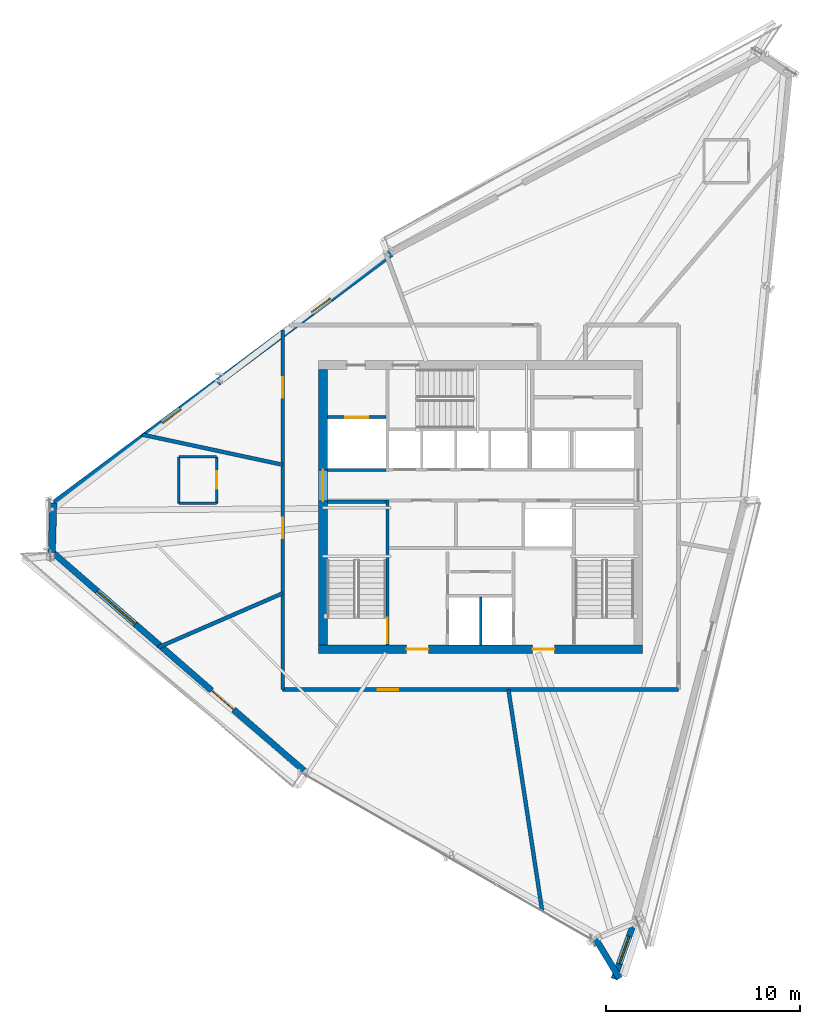
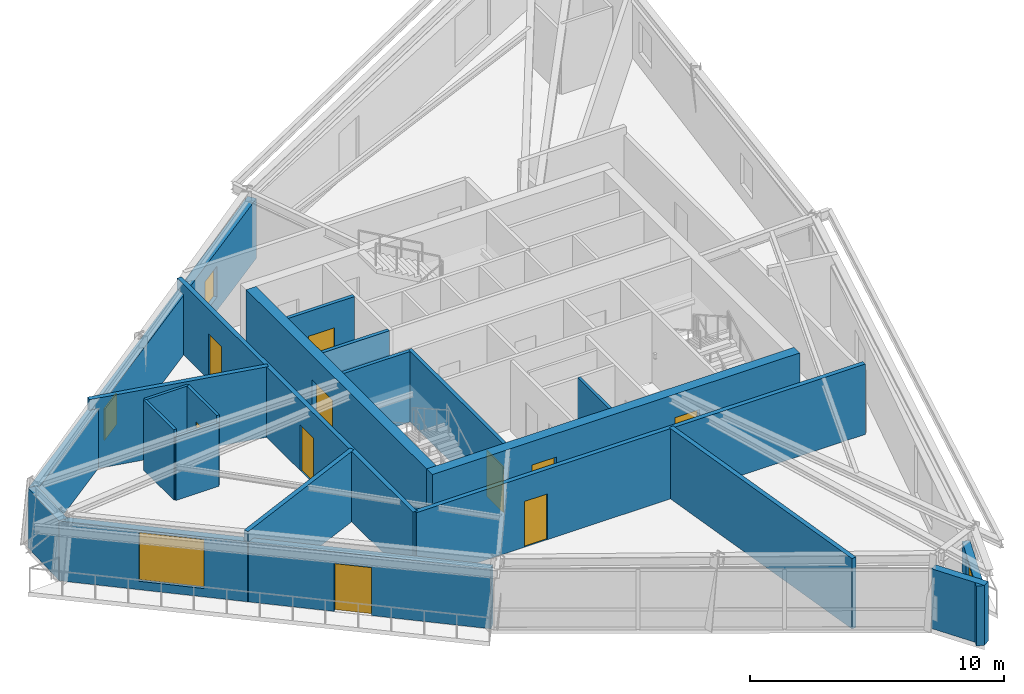
# One storey, part 8 of 13: 21 walls, 10 doors, 4 windows, 14 openings.
"""IFC4 building model written with IfcOpenShell, lengths in metres."""

from ifc_helpers import new_model, si_unit, direction, frame, frame_2d, origin, place, context, subcontext, project, spatial, rectangle, extrude, source, transform, mapped, material, layer, layer_set, type_object, type_shapes, element, fill, save


model = new_model("IFC4")

# Units and contexts
model_context = context("Model", 3, precision=1e-05, world=origin(), true_north=direction((0.0, 1.0)))
body_context = subcontext(model_context, "Body", "Model", "MODEL_VIEW")
ifc_project = project(units=[si_unit("LENGTHUNIT", "METRE"), si_unit("AREAUNIT", "SQUARE_METRE"), si_unit("VOLUMEUNIT", "CUBIC_METRE"), si_unit("PLANEANGLEUNIT", "RADIAN"), si_unit("MASSUNIT", "GRAM", prefix="KILO")], contexts=[model_context])

# Site, building, storey
site_placement = place(None, origin())
site = spatial("IfcSite", under=ifc_project, at=site_placement, CompositionType="ELEMENT")
building_placement = place(site_placement, origin())
building = spatial("IfcBuilding", under=site, at=building_placement, Name="Olszyna Solenne Hotel", CompositionType="ELEMENT")
storey_placement = place(building_placement, frame((0.0, 0.0, 263.300048828125)))
storey = spatial("IfcBuildingStorey", under=building, at=storey_placement, Name="L70", CompositionType="ELEMENT", Elevation=263.300048828125)

# Wall, openings, doors
ifc_material_1 = material(Name="Concrete C50/60", Category="concrete")
ifc_layer_1 = layer(ifc_material_1, 0.449951171875, Name="Concrete C50/60")
ifc_layer_set_1 = layer_set([ifc_layer_1], Name="Concrete C50/60")
wall_type_1 = type_object("IfcWallType", Name="WL-CR450", PredefinedType="SHEAR", material=ifc_layer_set_1)
wall_1_placement = place(storey_placement, frame((46.35009765625, 19.27490234375, 0.0), z_axis=(0.0, 0.0, 1.0), x_axis=(-1.0, 0.0, 0.0)))
wall_1 = element("IfcWall", 1, at=wall_1_placement, inside=storey, type_object=wall_type_1, Name="Core shear wall WL-CR450 CRW-L70-S", PredefinedType="SHEAR", context=body_context, shape_type="SweptSolid", body=[
    extrude(rectangle(XDim=16.7001953125, YDim=0.449951171875, at=frame_2d((8.35009765625, 0.0))), origin(), (0.0, 0.0, 1.0), 3.3798828125),
])
opening_1_placement = place(wall_1_placement, frame((4.550048828125, 0.0, 0.0)))
opening_1 = element("IfcOpeningElement", 2, at=opening_1_placement, cuts=wall_1, Name="Opening FL-L70-1", PredefinedType="OPENING", context=body_context, shape_type="SweptSolid", body=[
    extrude(rectangle(XDim=1.1201171875, YDim=2.25, at=frame_2d((0.56005859375, 1.125))), frame((0.0, 0.23486328125, 0.0), z_axis=(0.0, -1.0, 0.0), x_axis=(1.0, 0.0, 0.0)), (0.0, 0.0, 1.0), 0.469970703125),
])
opening_2_placement = place(wall_1_placement, frame((11.050048828125, 0.0, 0.0)))
opening_2 = element("IfcOpeningElement", 3, at=opening_2_placement, cuts=wall_1, Name="Opening FL-L70-2", PredefinedType="OPENING", context=body_context, shape_type="SweptSolid", body=[
    extrude(rectangle(XDim=1.1201171875, YDim=2.25, at=frame_2d((0.56005859375, 1.125))), frame((0.0, 0.23486328125, 0.0), z_axis=(0.0, -1.0, 0.0), x_axis=(1.0, 0.0, 0.0)), (0.0, 0.0, 1.0), 0.469970703125),
])
ifc_material_2 = material(Name="Steel S355J2", Category="steel")
door_type_1 = type_object("IfcDoorType", Name="DR-FL1", OperationType="NOTDEFINED", PredefinedType="DOOR", material=ifc_material_2)
shared_shape_1 = source(origin(), body_context, "Body", "SweptSolid", [
    extrude(rectangle(XDim=1.1201171875, YDim=2.25, at=frame_2d((0.56005859375, 1.125))), frame((0.0, 0.02490234375, 0.0), z_axis=(0.0, -1.0, 0.0), x_axis=(1.0, 0.0, 0.0)), (0.0, 0.0, 1.0), 0.050048828125),
])
type_shapes(door_type_1, [shared_shape_1])
door_1_placement = place(opening_1_placement, origin())
door_1 = element("IfcDoor", 4, at=door_1_placement, inside=storey, type_object=door_type_1, Name="Firefighting lift lobby smoke door FL-L70-1", OperationType="SINGLE_SWING_LEFT", OverallHeight=2.25, OverallWidth=1.1201171875, PredefinedType="DOOR", context=body_context, shape_type="MappedRepresentation", body=[
    mapped(shared_shape_1, transform((0.0, 0.0, 0.0), x_axis=(1.0, 0.0, 0.0), y_axis=(0.0, 1.0, 0.0), z_axis=(0.0, 0.0, 1.0), scale=1.0)),
])
fill(opening_1, door_1)
door_2_placement = place(opening_2_placement, origin())
door_2 = element("IfcDoor", 5, at=door_2_placement, inside=storey, type_object=door_type_1, Name="Firefighting lift lobby smoke door FL-L70-2", OperationType="SINGLE_SWING_RIGHT", OverallHeight=2.25, OverallWidth=1.1201171875, PredefinedType="DOOR", context=body_context, shape_type="MappedRepresentation", body=[
    mapped(shared_shape_1, transform((0.0, 0.0, 0.0), x_axis=(1.0, 0.0, 0.0), y_axis=(0.0, 1.0, 0.0), z_axis=(0.0, 0.0, 1.0), scale=1.0)),
])
fill(opening_2, door_2)

# Wall, opening, door
wall_2_placement = place(storey_placement, frame((29.875, 19.5, 0.0), z_axis=(0.0, 0.0, 1.0), x_axis=(0.0, 1.0, 0.0)))
wall_2 = element("IfcWall", 6, at=wall_2_placement, inside=storey, type_object=wall_type_1, Name="Core shear wall WL-CR450 CRW-L70-W", PredefinedType="SHEAR", context=body_context, shape_type="SweptSolid", body=[
    extrude(rectangle(XDim=14.199951171875, YDim=0.449951171875, at=frame_2d((7.10009765625, 0.0))), origin(), (0.0, 0.0, 1.0), 3.3798828125),
])
opening_3_placement = place(wall_2_placement, frame((7.419921875, 0.0, 0.0)))
opening_3 = element("IfcOpeningElement", 7, at=opening_3_placement, cuts=wall_2, Name="Opening LHD-L70-W", PredefinedType="OPENING", context=body_context, shape_type="SweptSolid", body=[
    extrude(rectangle(XDim=1.60009765625, YDim=2.199951171875, at=frame_2d((0.800048828125, 1.10009765625))), frame((0.0, 0.23486328125, 0.0), z_axis=(0.0, -1.0, 0.0), x_axis=(1.0, 0.0, 0.0)), (0.0, 0.0, 1.0), 0.469970703125),
])
ifc_material_3 = material(Name="Timber hardwood", Category="wood")
door_type_2 = type_object("IfcDoorType", Name="DR-CR1", OperationType="DOUBLE_DOOR_SINGLE_SWING", PredefinedType="DOOR", material=ifc_material_3)
shared_shape_2 = source(origin(), body_context, "Body", "SweptSolid", [
    extrude(rectangle(XDim=1.60009765625, YDim=2.199951171875, at=frame_2d((0.800048828125, 1.10009765625))), frame((0.0, 0.02490234375, 0.0), z_axis=(0.0, -1.0, 0.0), x_axis=(1.0, 0.0, 0.0)), (0.0, 0.0, 1.0), 0.050048828125),
])
type_shapes(door_type_2, [shared_shape_2])
door_3_placement = place(opening_3_placement, origin())
door_3 = element("IfcDoor", 8, at=door_3_placement, inside=storey, type_object=door_type_2, Name="Passenger lift lobby West fire door LHD-L70-W", OperationType="DOUBLE_DOOR_SINGLE_SWING", OverallHeight=2.199951171875, OverallWidth=1.60009765625, PredefinedType="DOOR", context=body_context, shape_type="MappedRepresentation", body=[
    mapped(shared_shape_2, transform((0.0, 0.0, 0.0), x_axis=(1.0, 0.0, 0.0), y_axis=(0.0, 1.0, 0.0), z_axis=(0.0, 0.0, 1.0), scale=1.0)),
])
fill(opening_3, door_3)

# Wall, opening, window
ifc_material_4 = material(Name="Precast concrete C45/55", Category="concrete")
ifc_layer_2 = layer(ifc_material_4, 0.320068359375, Name="Precast concrete C45/55")
ifc_layer_set_2 = layer_set([ifc_layer_2], Name="Precast concrete C45/55")
wall_type_2 = type_object("IfcWallType", Name="WL-EX320", PredefinedType="SOLIDWALL", material=ifc_layer_set_2)
wall_3_placement = place(storey_placement, frame((45.93505859375, 5.255615234375, 0.0), z_axis=(0.0, 0.0, 1.0), x_axis=(-0.337650240758, -0.941271647781, 0.0)))
wall_3 = element("IfcWall", 9, at=wall_3_placement, inside=storey, type_object=wall_type_2, Name="Exterior terracotta-precast frame wall WL-EX320 EW-L70-02", PredefinedType="SOLIDWALL", context=body_context, shape_type="SweptSolid", body=[
    extrude(rectangle(XDim=3.154052734375, YDim=0.320068359375, at=frame_2d((1.5771484375, 0.0))), origin(), (0.0, 0.0, 1.0), 2.8720703125),
])
opening_4_placement = place(wall_3_placement, frame((0.826904296875, 0.0, 0.451904296875)))
opening_4 = element("IfcOpeningElement", 10, at=opening_4_placement, cuts=wall_3, Name="Opening WN-L70-465", PredefinedType="OPENING", context=body_context, shape_type="SweptSolid", body=[
    extrude(rectangle(XDim=1.5, YDim=2.300048828125, at=frame_2d((0.75, 1.14990234375))), frame((0.0, 0.169921875, 0.0), z_axis=(0.0, -1.0, 0.0), x_axis=(1.0, 0.0, 0.0)), (0.0, 0.0, 1.0), 0.340087890625),
])
ifc_material_5 = material(Name="Low-E triple glazing", Category="glass")
window_type_1 = type_object("IfcWindowType", Name="WN-CH1", PartitioningType="SINGLE_PANEL", PredefinedType="WINDOW", material=ifc_material_5)
shared_shape_3 = source(origin(), body_context, "Body", "SweptSolid", [
    extrude(rectangle(XDim=1.5, YDim=2.300048828125, at=frame_2d((0.75, 1.14990234375))), frame((0.0, 0.030029296875, 0.0), z_axis=(0.0, -1.0, 0.0), x_axis=(1.0, 0.0, 0.0)), (0.0, 0.0, 1.0), 0.06005859375),
])
type_shapes(window_type_1, [shared_shape_3])
window_1_placement = place(opening_4_placement, origin())
window_1 = element("IfcWindow", 11, at=window_1_placement, inside=storey, type_object=window_type_1, Name="Exterior facade window WN-CH1 WN-L70-465", OverallHeight=2.300048828125, OverallWidth=1.5, PartitioningType="SINGLE_PANEL", PredefinedType="WINDOW", context=body_context, shape_type="MappedRepresentation", body=[
    mapped(shared_shape_3, transform((0.0, 0.0, 0.0), x_axis=(1.0, 0.0, 0.0), y_axis=(0.0, 1.0, 0.0), z_axis=(0.0, 0.0, 1.0), scale=1.0)),
])
fill(opening_4, window_1)

# Wall
wall_4_placement = place(storey_placement, frame((45.15771484375, 2.3154296875, 0.0), z_axis=(0.0, 0.0, 1.0), x_axis=(-0.516260260774, 0.856431750431, 0.0)))
element("IfcWall", 12, at=wall_4_placement, inside=storey, type_object=wall_type_2, Name="Exterior terracotta-precast frame wall WL-EX320 EW-L70-03", PredefinedType="SOLIDWALL", context=body_context, shape_type="SweptSolid", body=[
    extrude(rectangle(XDim=2.379150390625, YDim=0.320068359375, at=frame_2d((1.189453125, 0.0))), origin(), (0.0, 0.0, 1.0), 2.8720703125),
])

# Wall, openings, door, window
wall_5_placement = place(storey_placement, frame((28.884765625, 13.0244140625, 0.0), z_axis=(0.0, 0.0, 1.0), x_axis=(-0.754757555723, 0.656003835415, 0.0)))
wall_5 = element("IfcWall", 13, at=wall_5_placement, inside=storey, type_object=wall_type_2, Name="Exterior terracotta-precast frame wall WL-EX320 EW-L70-05", PredefinedType="SOLIDWALL", context=body_context, shape_type="SweptSolid", body=[
    extrude(rectangle(XDim=17.31787109375, YDim=0.320068359375, at=frame_2d((8.658935546875, 0.0))), origin(), (0.0, 0.0, 1.0), 2.8720703125),
])
opening_5_placement = place(wall_5_placement, frame((4.7919921875, 0.0, 0.0)))
opening_5 = element("IfcOpeningElement", 14, at=opening_5_placement, cuts=wall_5, Name="Opening LDG-L70-2", PredefinedType="OPENING", context=body_context, shape_type="SweptSolid", body=[
    extrude(rectangle(XDim=1.5, YDim=2.300048828125, at=frame_2d((0.75, 1.14990234375))), frame((0.0, 0.169921875, 0.0), z_axis=(0.0, -1.0, 0.0), x_axis=(1.0, 0.0, 0.0)), (0.0, 0.0, 1.0), 0.340087890625),
])
opening_6_placement = place(wall_5_placement, frame((11.514892578125, 0.0, 0.402099609375)))
opening_6 = element("IfcOpeningElement", 15, at=opening_6_placement, cuts=wall_5, Name="Opening WN-L70-466", PredefinedType="OPENING", context=body_context, shape_type="SweptSolid", body=[
    extrude(rectangle(XDim=2.60009765625, YDim=2.35009765625, at=frame_2d((1.300048828125, 1.175048828125))), frame((0.0, 0.169921875, 0.0), z_axis=(0.0, -1.0, 0.0), x_axis=(1.0, 0.0, 0.0)), (0.0, 0.0, 1.0), 0.340087890625),
])
ifc_material_6 = material(Name="Anodised bronze aluminium", Category="aluminium")
door_type_3 = type_object("IfcDoorType", Name="DR-LG2", OperationType="DOUBLE_DOOR_SINGLE_SWING", PredefinedType="DOOR", material=ifc_material_6)
shared_shape_4 = source(origin(), body_context, "Body", "SweptSolid", [
    extrude(rectangle(XDim=1.5, YDim=2.300048828125, at=frame_2d((0.75, 1.14990234375))), frame((0.0, 0.02490234375, 0.0), z_axis=(0.0, -1.0, 0.0), x_axis=(1.0, 0.0, 0.0)), (0.0, 0.0, 1.0), 0.050048828125),
])
type_shapes(door_type_3, [shared_shape_4])
door_4_placement = place(opening_5_placement, origin())
door_4 = element("IfcDoor", 16, at=door_4_placement, inside=storey, type_object=door_type_3, Name="Exterior loggia balcony door DR-LG2 LDG-L70-2", OperationType="DOUBLE_DOOR_SINGLE_SWING", OverallHeight=2.300048828125, OverallWidth=1.5, PredefinedType="DOOR", context=body_context, shape_type="MappedRepresentation", body=[
    mapped(shared_shape_4, transform((0.0, 0.0, 0.0), x_axis=(1.0, 0.0, 0.0), y_axis=(0.0, 1.0, 0.0), z_axis=(0.0, 0.0, 1.0), scale=1.0)),
])
fill(opening_5, door_4)
window_type_2 = type_object("IfcWindowType", Name="WN-ST1", PartitioningType="SINGLE_PANEL", PredefinedType="WINDOW", material=ifc_material_5)
shared_shape_5 = source(origin(), body_context, "Body", "SweptSolid", [
    extrude(rectangle(XDim=2.60009765625, YDim=2.35009765625, at=frame_2d((1.300048828125, 1.175048828125))), frame((0.0, 0.030029296875, 0.0), z_axis=(0.0, -1.0, 0.0), x_axis=(1.0, 0.0, 0.0)), (0.0, 0.0, 1.0), 0.06005859375),
])
type_shapes(window_type_2, [shared_shape_5])
window_2_placement = place(opening_6_placement, origin())
window_2 = element("IfcWindow", 17, at=window_2_placement, inside=storey, type_object=window_type_2, Name="Loggia room window WN-ST1 WN-L70-466", OverallHeight=2.35009765625, OverallWidth=2.60009765625, PartitioningType="SINGLE_PANEL", PredefinedType="WINDOW", context=body_context, shape_type="MappedRepresentation", body=[
    mapped(shared_shape_5, transform((0.0, 0.0, 0.0), x_axis=(1.0, 0.0, 0.0), y_axis=(0.0, 1.0, 0.0), z_axis=(0.0, 0.0, 1.0), scale=1.0)),
])
fill(opening_6, window_2)

# Wall
ifc_material_7 = material(Name="Terracotta cladding on precast concrete C45/55", Category="masonry")
ifc_layer_3 = layer(ifc_material_7, 0.3798828125, Name="Terracotta cladding on precast concrete C45/55")
ifc_layer_set_3 = layer_set([ifc_layer_3], Name="Terracotta cladding on precast concrete C45/55")
wall_type_3 = type_object("IfcWallType", Name="WL-EX380", PredefinedType="SOLIDWALL", material=ifc_layer_set_3)
wall_6_placement = place(storey_placement, frame((15.898681640625, 24.2587890625, 0.0), z_axis=(0.0, 0.0, 1.0), x_axis=(0.027933207755, 0.999609791821, 0.0)))
element("IfcWall", 18, at=wall_6_placement, inside=storey, type_object=wall_type_3, Name="Exterior terracotta-precast frame wall WL-EX380 EW-L70-06", PredefinedType="SOLIDWALL", context=body_context, shape_type="SweptSolid", body=[
    extrude(rectangle(XDim=2.569580078125, YDim=0.3798828125, at=frame_2d((1.28466796875, 0.0))), origin(), (0.0, 0.0, 1.0), 2.8720703125),
])

# Wall, openings, windows
wall_7_placement = place(storey_placement, frame((15.89404296875, 26.680419921875, 0.0), z_axis=(0.0, 0.0, 1.0), x_axis=(0.802229105353, 0.59701630005, 0.0)))
wall_7 = element("IfcWall", 19, at=wall_7_placement, inside=storey, type_object=wall_type_3, Name="Exterior terracotta-precast frame wall WL-EX380 EW-L70-07", PredefinedType="SOLIDWALL", context=body_context, shape_type="SweptSolid", body=[
    extrude(rectangle(XDim=21.80224609375, YDim=0.3798828125, at=frame_2d((10.901123046875, 0.0))), origin(), (0.0, 0.0, 1.0), 2.8720703125),
])
opening_7_placement = place(wall_7_placement, frame((7.10498046875, 0.0, 0.64990234375)))
opening_7 = element("IfcOpeningElement", 20, at=opening_7_placement, cuts=wall_7, Name="Opening WN-L70-467", PredefinedType="OPENING", context=body_context, shape_type="SweptSolid", body=[
    extrude(rectangle(XDim=1.199951171875, YDim=1.5, at=frame_2d((0.60009765625, 0.75))), frame((0.0, 0.199951171875, 0.0), z_axis=(0.0, -1.0, 0.0), x_axis=(1.0, 0.0, 0.0)), (0.0, 0.0, 1.0), 0.39990234375),
])
opening_8_placement = place(wall_7_placement, frame((16.697998046875, 0.0, 0.64990234375)))
opening_8 = element("IfcOpeningElement", 21, at=opening_8_placement, cuts=wall_7, Name="Opening WN-L70-468", PredefinedType="OPENING", context=body_context, shape_type="SweptSolid", body=[
    extrude(rectangle(XDim=1.199951171875, YDim=1.5, at=frame_2d((0.60009765625, 0.75))), frame((0.0, 0.199951171875, 0.0), z_axis=(0.0, -1.0, 0.0), x_axis=(1.0, 0.0, 0.0)), (0.0, 0.0, 1.0), 0.39990234375),
])
window_type_3 = type_object("IfcWindowType", Name="WN-B1", PartitioningType="SINGLE_PANEL", PredefinedType="WINDOW", material=ifc_material_5)
shared_shape_6 = source(origin(), body_context, "Body", "SweptSolid", [
    extrude(rectangle(XDim=1.199951171875, YDim=1.5, at=frame_2d((0.60009765625, 0.75))), frame((0.0, 0.030029296875, 0.0), z_axis=(0.0, -1.0, 0.0), x_axis=(1.0, 0.0, 0.0)), (0.0, 0.0, 1.0), 0.06005859375),
])
type_shapes(window_type_3, [shared_shape_6])
window_3_placement = place(opening_7_placement, origin())
window_3 = element("IfcWindow", 22, at=window_3_placement, inside=storey, type_object=window_type_3, Name="Exterior facade window WN-B1 WN-L70-467", OverallHeight=1.5, OverallWidth=1.199951171875, PartitioningType="SINGLE_PANEL", PredefinedType="WINDOW", context=body_context, shape_type="MappedRepresentation", body=[
    mapped(shared_shape_6, transform((0.0, 0.0, 0.0), x_axis=(1.0, 0.0, 0.0), y_axis=(0.0, 1.0, 0.0), z_axis=(0.0, 0.0, 1.0), scale=1.0)),
])
fill(opening_7, window_3)
window_4_placement = place(opening_8_placement, origin())
window_4 = element("IfcWindow", 23, at=window_4_placement, inside=storey, type_object=window_type_3, Name="Exterior facade window WN-B1 WN-L70-468", OverallHeight=1.5, OverallWidth=1.199951171875, PartitioningType="SINGLE_PANEL", PredefinedType="WINDOW", context=body_context, shape_type="MappedRepresentation", body=[
    mapped(shared_shape_6, transform((0.0, 0.0, 0.0), x_axis=(1.0, 0.0, 0.0), y_axis=(0.0, 1.0, 0.0), z_axis=(0.0, 0.0, 1.0), scale=1.0)),
])
fill(opening_8, window_4)

# Wall
ifc_material_8 = material(Name="Acoustic gypsum partition", Category="gypsum")
ifc_layer_4 = layer(ifc_material_8, 0.125, Name="Acoustic gypsum partition")
ifc_layer_set_4 = layer_set([ifc_layer_4], Name="Acoustic gypsum partition")
wall_type_4 = type_object("IfcWallType", Name="WL-PT125", PredefinedType="PARTITIONING", material=ifc_layer_set_4)
wall_8_placement = place(storey_placement, frame((38.0, 19.5, 0.0), z_axis=(0.0, 0.0, 1.0), x_axis=(0.0, 1.0, 0.0)))
element("IfcWall", 24, at=wall_8_placement, inside=storey, type_object=wall_type_4, Name="Core shaft compartment wall CW-L70-FFM", PredefinedType="PARTITIONING", context=body_context, shape_type="SweptSolid", body=[
    extrude(rectangle(XDim=2.4599609375, YDim=0.125, at=frame_2d((1.22998046875, 0.0))), origin(), (0.0, 0.0, 1.0), 3.3798828125),
])

# Wall, opening, door
wall_9_placement = place(storey_placement, frame((24.39208984375, 26.794921875, 0.0), z_axis=(0.0, 0.0, 1.0), x_axis=(0.0, 1.0, 0.0)))
wall_9 = element("IfcWall", 25, at=wall_9_placement, inside=storey, type_object=wall_type_4, Name="Interior acoustic partition WL-PT125 PW-L70-3881", PredefinedType="PARTITIONING", context=body_context, shape_type="SweptSolid", body=[
    extrude(rectangle(XDim=2.400146484375, YDim=0.125, at=frame_2d((1.2001953125, 0.0))), origin(), (0.0, 0.0, 1.0), 3.3798828125),
])
opening_9_placement = place(wall_9_placement, frame((0.75, 0.0, 0.0)))
opening_9 = element("IfcOpeningElement", 26, at=opening_9_placement, cuts=wall_9, Name="Opening DR-L70-0941", PredefinedType="OPENING", context=body_context, shape_type="SweptSolid", body=[
    extrude(rectangle(XDim=0.89990234375, YDim=2.10009765625, at=frame_2d((0.449951171875, 1.050048828125))), frame((0.0, 0.072509765625, 0.0), z_axis=(0.0, -1.0, 0.0), x_axis=(1.0, 0.0, 0.0)), (0.0, 0.0, 1.0), 0.14501953125),
])
door_type_4 = type_object("IfcDoorType", Name="DR-WC1", OperationType="NOTDEFINED", PredefinedType="DOOR", material=ifc_material_3)
shared_shape_7 = source(origin(), body_context, "Body", "SweptSolid", [
    extrude(rectangle(XDim=0.89990234375, YDim=2.10009765625, at=frame_2d((0.449951171875, 1.050048828125))), frame((0.0, 0.02490234375, 0.0), z_axis=(0.0, -1.0, 0.0), x_axis=(1.0, 0.0, 0.0)), (0.0, 0.0, 1.0), 0.050048828125),
])
type_shapes(door_type_4, [shared_shape_7])
door_5_placement = place(opening_9_placement, origin())
door_5 = element("IfcDoor", 27, at=door_5_placement, inside=storey, type_object=door_type_4, Name="En-Suite Bathroom Door DR-L70-0941", OperationType="SINGLE_SWING_LEFT", OverallHeight=2.10009765625, OverallWidth=0.89990234375, PredefinedType="DOOR", context=body_context, shape_type="MappedRepresentation", body=[
    mapped(shared_shape_7, transform((0.0, 0.0, 0.0), x_axis=(1.0, 0.0, 0.0), y_axis=(0.0, 1.0, 0.0), z_axis=(0.0, 0.0, 1.0), scale=1.0)),
])
fill(opening_9, door_5)

# Walls
wall_10_placement = place(storey_placement, frame((24.39208984375, 29.195068359375, 0.0), z_axis=(0.0, 0.0, 1.0), x_axis=(-1.0, 0.0, 0.0)))
element("IfcWall", 28, at=wall_10_placement, inside=storey, type_object=wall_type_4, Name="Interior acoustic partition WL-PT125 PW-L70-3882", PredefinedType="PARTITIONING", context=body_context, shape_type="SweptSolid", body=[
    extrude(rectangle(XDim=1.9501953125, YDim=0.125, at=frame_2d((0.97509765625, 0.0))), origin(), (0.0, 0.0, 1.0), 3.3798828125),
])
wall_11_placement = place(storey_placement, frame((22.44189453125, 29.195068359375, 0.0), z_axis=(0.0, 0.0, 1.0), x_axis=(0.0, -1.0, 0.0)))
element("IfcWall", 29, at=wall_11_placement, inside=storey, type_object=wall_type_4, Name="Interior acoustic partition WL-PT125 PW-L70-3883", PredefinedType="PARTITIONING", context=body_context, shape_type="SweptSolid", body=[
    extrude(rectangle(XDim=2.400146484375, YDim=0.125, at=frame_2d((1.2001953125, 0.0))), origin(), (0.0, 0.0, 1.0), 3.3798828125),
])
wall_12_placement = place(storey_placement, frame((22.44189453125, 26.794921875, 0.0), z_axis=(0.0, 0.0, 1.0), x_axis=(1.0, 0.0, 0.0)))
element("IfcWall", 30, at=wall_12_placement, inside=storey, type_object=wall_type_4, Name="Interior acoustic partition WL-PT125 PW-L70-3884", PredefinedType="PARTITIONING", context=body_context, shape_type="SweptSolid", body=[
    extrude(rectangle(XDim=1.9501953125, YDim=0.125, at=frame_2d((0.97509765625, 0.0))), origin(), (0.0, 0.0, 1.0), 3.054931640625),
])

# Wall, opening, door
ifc_layer_5 = layer(ifc_material_8, 0.159912109375, Name="Acoustic gypsum partition")
ifc_layer_set_5 = layer_set([ifc_layer_5], Name="Acoustic gypsum partition")
wall_type_5 = type_object("IfcWallType", Name="WL-PT160", PredefinedType="PARTITIONING", material=ifc_layer_set_5)
wall_13_placement = place(storey_placement, frame((33.199951171875, 19.5, 0.0), z_axis=(0.0, 0.0, 1.0), x_axis=(0.0, 1.0, 0.0)))
wall_13 = element("IfcWall", 31, at=wall_13_placement, inside=storey, type_object=wall_type_5, Name="Core shaft compartment wall CW-L70-ST1E", PredefinedType="PARTITIONING", context=body_context, shape_type="SweptSolid", body=[
    extrude(rectangle(XDim=7.4599609375, YDim=0.159912109375, at=frame_2d((3.72998046875, 0.0))), origin(), (0.0, 0.0, 1.0), 3.3798828125),
])
opening_10_placement = place(wall_13_placement, frame((0.080078125, 0.0, 0.0)))
opening_10 = element("IfcOpeningElement", 32, at=opening_10_placement, cuts=wall_13, Name="Opening STD-L70-01", PredefinedType="OPENING", context=body_context, shape_type="SweptSolid", body=[
    extrude(rectangle(XDim=1.320068359375, YDim=2.199951171875, at=frame_2d((0.66015625, 1.10009765625))), frame((0.0, 0.08984375, 0.0), z_axis=(0.0, -1.0, 0.0), x_axis=(1.0, 0.0, 0.0)), (0.0, 0.0, 1.0), 0.179931640625),
])
door_type_5 = type_object("IfcDoorType", Name="DR-ST1", OperationType="NOTDEFINED", PredefinedType="DOOR", material=ifc_material_2)
shared_shape_8 = source(origin(), body_context, "Body", "SweptSolid", [
    extrude(rectangle(XDim=1.320068359375, YDim=2.199951171875, at=frame_2d((0.66015625, 1.10009765625))), frame((0.0, 0.02490234375, 0.0), z_axis=(0.0, -1.0, 0.0), x_axis=(1.0, 0.0, 0.0)), (0.0, 0.0, 1.0), 0.050048828125),
])
type_shapes(door_type_5, [shared_shape_8])
door_6_placement = place(opening_10_placement, origin())
door_6 = element("IfcDoor", 33, at=door_6_placement, inside=storey, type_object=door_type_5, Name="Pressurised exit stair ST1 fire door STD-L70-01", OperationType="SINGLE_SWING_LEFT", OverallHeight=2.199951171875, OverallWidth=1.320068359375, PredefinedType="DOOR", context=body_context, shape_type="MappedRepresentation", body=[
    mapped(shared_shape_8, transform((0.0, 0.0, 0.0), x_axis=(1.0, 0.0, 0.0), y_axis=(0.0, 1.0, 0.0), z_axis=(0.0, 0.0, 1.0), scale=1.0)),
])
fill(opening_10, door_6)

# Walls
for number, where, z_axis, x_axis, name in (
    (34, (30.10009765625, 26.8798828125, 0.0), (0.0, 0.0, 1.0), (1.0, 0.0, 0.0), "Core shaft compartment wall CW-L70-ST1N"),
    (35, (30.10009765625, 28.52001953125, 0.0), (0.0, 0.0, 1.0), (1.0, 0.0, 0.0), "Core shaft compartment wall CW-L70-SV1S"),
):
    element("IfcWall", number, at=place(storey_placement, frame(where, z_axis=z_axis, x_axis=x_axis)), inside=storey, type_object=wall_type_5, Name=name, PredefinedType="PARTITIONING", context=body_context, shape_type="SweptSolid", body=[
        extrude(rectangle(XDim=3.02001953125, YDim=0.159912109375, at=frame_2d((1.510009765625, 0.0))), origin(), (0.0, 0.0, 1.0), 3.3798828125),
    ])

# Wall, opening, door
wall_14_placement = place(storey_placement, frame((30.10009765625, 31.239990234375, 0.0), z_axis=(0.0, 0.0, 1.0), x_axis=(1.0, 0.0, 0.0)))
wall_14 = element("IfcWall", 36, at=wall_14_placement, inside=storey, type_object=wall_type_5, Name="Core shaft compartment wall CW-L70-SV1N", PredefinedType="PARTITIONING", context=body_context, shape_type="SweptSolid", body=[
    extrude(rectangle(XDim=3.02001953125, YDim=0.159912109375, at=frame_2d((1.510009765625, 0.0))), origin(), (0.0, 0.0, 1.0), 3.3798828125),
])
opening_11_placement = place(wall_14_placement, frame((0.909912109375, 0.0, 0.0)))
opening_11 = element("IfcOpeningElement", 37, at=opening_11_placement, cuts=wall_14, Name="Opening LD-L70-SV1", PredefinedType="OPENING", context=body_context, shape_type="SweptSolid", body=[
    extrude(rectangle(XDim=1.199951171875, YDim=2.199951171875, at=frame_2d((0.60009765625, 1.10009765625))), frame((0.0, 0.08984375, 0.0), z_axis=(0.0, -1.0, 0.0), x_axis=(1.0, 0.0, 0.0)), (0.0, 0.0, 1.0), 0.179931640625),
])
door_type_6 = type_object("IfcDoorType", Name="LD-FF1", OperationType="DOUBLE_DOOR_SLIDING", PredefinedType="DOOR", material=ifc_material_2)
shared_shape_9 = source(origin(), body_context, "Body", "SweptSolid", [
    extrude(rectangle(XDim=1.199951171875, YDim=2.199951171875, at=frame_2d((0.60009765625, 1.10009765625))), frame((0.0, 0.02490234375, 0.0), z_axis=(0.0, -1.0, 0.0), x_axis=(1.0, 0.0, 0.0)), (0.0, 0.0, 1.0), 0.050048828125),
])
type_shapes(door_type_6, [shared_shape_9])
door_7_placement = place(opening_11_placement, origin())
door_7 = element("IfcDoor", 38, at=door_7_placement, inside=storey, type_object=door_type_6, Name="Service lift SV1 sliding landing door LD-L70-SV1", OperationType="DOUBLE_DOOR_SLIDING", OverallHeight=2.199951171875, OverallWidth=1.199951171875, PredefinedType="DOOR", context=body_context, shape_type="MappedRepresentation", body=[
    mapped(shared_shape_9, transform((0.0, 0.0, 0.0), x_axis=(1.0, 0.0, 0.0), y_axis=(0.0, 1.0, 0.0), z_axis=(0.0, 0.0, 1.0), scale=1.0)),
])
fill(opening_11, door_7)

# Walls
ifc_layer_6 = layer(ifc_material_8, 0.199951171875, Name="Acoustic gypsum partition")
ifc_layer_set_6 = layer_set([ifc_layer_6], Name="Acoustic gypsum partition")
wall_type_6 = type_object("IfcWallType", Name="WL-PT200", PredefinedType="PARTITIONING", material=ifc_layer_set_6)
wall_15_placement = place(storey_placement, frame((27.800048828125, 22.164794921875, 0.0), z_axis=(0.0, 0.0, 1.0), x_axis=(-0.917061183567, -0.398746517973, 0.0)))
element("IfcWall", 39, at=wall_15_placement, inside=storey, type_object=wall_type_6, Name="Interior acoustic partition WL-PT200 PW-L70-3871", PredefinedType="PARTITIONING", context=body_context, shape_type="SweptSolid", body=[
    extrude(rectangle(XDim=6.99951171875, YDim=0.199951171875, at=frame_2d((3.499755859375, 0.0))), origin(), (0.0, 0.0, 1.0), 3.3798828125),
])
wall_16_placement = place(storey_placement, frame((39.4326171875, 17.199951171875, 0.0), z_axis=(0.0, 0.0, 1.0), x_axis=(0.150639275807, -0.98858879651, 0.0)))
element("IfcWall", 40, at=wall_16_placement, inside=storey, type_object=wall_type_6, Name="Interior acoustic partition WL-PT200 PW-L70-3872", PredefinedType="PARTITIONING", context=body_context, shape_type="SweptSolid", body=[
    extrude(rectangle(XDim=11.5166015625, YDim=0.199951171875, at=frame_2d((5.75830078125, 0.0))), origin(), (0.0, 0.0, 1.0), 3.3798828125),
])
wall_17_placement = place(storey_placement, frame((27.800048828125, 28.78759765625, 0.0), z_axis=(0.0, 0.0, 1.0), x_axis=(-0.977765791521, 0.209699921153, 0.0)))
element("IfcWall", 41, at=wall_17_placement, inside=storey, type_object=wall_type_6, Name="Interior acoustic partition WL-PT200 PW-L70-3876", PredefinedType="PARTITIONING", context=body_context, shape_type="SweptSolid", body=[
    extrude(rectangle(XDim=7.41748046875, YDim=0.199951171875, at=frame_2d((3.708740234375, 0.0))), origin(), (0.0, 0.0, 1.0), 3.3798828125),
])

# Wall, opening, door
wall_18_placement = place(storey_placement, frame((27.800048828125, 17.199951171875, 0.0), z_axis=(0.0, 0.0, 1.0), x_axis=(1.0, 0.0, 0.0)))
wall_18 = element("IfcWall", 42, at=wall_18_placement, inside=storey, type_object=wall_type_6, Name="Interior acoustic partition WL-PT200 PW-L70-3885", PredefinedType="PARTITIONING", context=body_context, shape_type="SweptSolid", body=[
    extrude(rectangle(XDim=20.39990234375, YDim=0.199951171875, at=frame_2d((10.199951171875, 0.0))), origin(), (0.0, 0.0, 1.0), 3.3798828125),
])
opening_12_placement = place(wall_18_placement, frame((4.909912109375, 0.0, 0.0)))
opening_12 = element("IfcOpeningElement", 43, at=opening_12_placement, cuts=wall_18, Name="Opening DR-L70-0942", PredefinedType="OPENING", context=body_context, shape_type="SweptSolid", body=[
    extrude(rectangle(XDim=1.050048828125, YDim=2.199951171875, at=frame_2d((0.52490234375, 1.10009765625))), frame((0.0, 0.10986328125, 0.0), z_axis=(0.0, -1.0, 0.0), x_axis=(1.0, 0.0, 0.0)), (0.0, 0.0, 1.0), 0.219970703125),
])
door_type_7 = type_object("IfcDoorType", Name="DR-RM2", OperationType="NOTDEFINED", PredefinedType="DOOR", material=ifc_material_3)
shared_shape_10 = source(origin(), body_context, "Body", "SweptSolid", [
    extrude(rectangle(XDim=1.050048828125, YDim=2.199951171875, at=frame_2d((0.52490234375, 1.10009765625))), frame((0.0, 0.02490234375, 0.0), z_axis=(0.0, -1.0, 0.0), x_axis=(1.0, 0.0, 0.0)), (0.0, 0.0, 1.0), 0.050048828125),
])
type_shapes(door_type_7, [shared_shape_10])
door_8_placement = place(opening_12_placement, origin())
door_8 = element("IfcDoor", 44, at=door_8_placement, inside=storey, type_object=door_type_7, Name="Boutique Art Gallery Entrance Door DR-L70-0942", OperationType="SINGLE_SWING_LEFT", OverallHeight=2.199951171875, OverallWidth=1.050048828125, PredefinedType="DOOR", context=body_context, shape_type="MappedRepresentation", body=[
    mapped(shared_shape_10, transform((0.0, 0.0, 0.0), x_axis=(1.0, 0.0, 0.0), y_axis=(0.0, 1.0, 0.0), z_axis=(0.0, 0.0, 1.0), scale=1.0)),
])
fill(opening_12, door_8)

# Wall, openings, doors
wall_19_placement = place(storey_placement, frame((27.800048828125, 17.199951171875, 0.0), z_axis=(0.0, 0.0, 1.0), x_axis=(0.0, 1.0, 0.0)))
wall_19 = element("IfcWall", 45, at=wall_19_placement, inside=storey, type_object=wall_type_6, Name="Interior acoustic partition WL-PT200 PW-L70-3886", PredefinedType="PARTITIONING", context=body_context, shape_type="SweptSolid", body=[
    extrude(rectangle(XDim=18.540283203125, YDim=0.199951171875, at=frame_2d((9.27001953125, 0.0))), origin(), (0.0, 0.0, 1.0), 3.3798828125),
])
opening_13_placement = place(wall_19_placement, frame((15.04296875, 0.0, 0.0)))
opening_13 = element("IfcOpeningElement", 46, at=opening_13_placement, cuts=wall_19, Name="Opening DR-L70-0943", PredefinedType="OPENING", context=body_context, shape_type="SweptSolid", body=[
    extrude(rectangle(XDim=1.050048828125, YDim=2.199951171875, at=frame_2d((0.52490234375, 1.10009765625))), frame((0.0, 0.10986328125, 0.0), z_axis=(0.0, -1.0, 0.0), x_axis=(1.0, 0.0, 0.0)), (0.0, 0.0, 1.0), 0.219970703125),
])
opening_14_placement = place(wall_19_placement, frame((7.81201171875, 0.0, 0.0)))
opening_14 = element("IfcOpeningElement", 47, at=opening_14_placement, cuts=wall_19, Name="Opening DR-L70-0944", PredefinedType="OPENING", context=body_context, shape_type="SweptSolid", body=[
    extrude(rectangle(XDim=1.050048828125, YDim=2.199951171875, at=frame_2d((0.52490234375, 1.10009765625))), frame((0.0, 0.10986328125, 0.0), z_axis=(0.0, -1.0, 0.0), x_axis=(1.0, 0.0, 0.0)), (0.0, 0.0, 1.0), 0.219970703125),
])
door_9_placement = place(opening_13_placement, origin())
door_9 = element("IfcDoor", 48, at=door_9_placement, inside=storey, type_object=door_type_7, Name="Executive Club Lounge Entrance Door DR-L70-0943", OperationType="SINGLE_SWING_LEFT", OverallHeight=2.199951171875, OverallWidth=1.050048828125, PredefinedType="DOOR", context=body_context, shape_type="MappedRepresentation", body=[
    mapped(shared_shape_10, transform((0.0, 0.0, 0.0), x_axis=(1.0, 0.0, 0.0), y_axis=(0.0, 1.0, 0.0), z_axis=(0.0, 0.0, 1.0), scale=1.0)),
])
fill(opening_13, door_9)
door_10_placement = place(opening_14_placement, origin())
door_10 = element("IfcDoor", 49, at=door_10_placement, inside=storey, type_object=door_type_7, Name="Executive Reading Salon Entrance Door DR-L70-0944", OperationType="SINGLE_SWING_RIGHT", OverallHeight=2.199951171875, OverallWidth=1.050048828125, PredefinedType="DOOR", context=body_context, shape_type="MappedRepresentation", body=[
    mapped(shared_shape_10, transform((0.0, 0.0, 0.0), x_axis=(1.0, 0.0, 0.0), y_axis=(0.0, 1.0, 0.0), z_axis=(0.0, 0.0, 1.0), scale=1.0)),
])
fill(opening_14, door_10)

save(model, "model.ifc")
